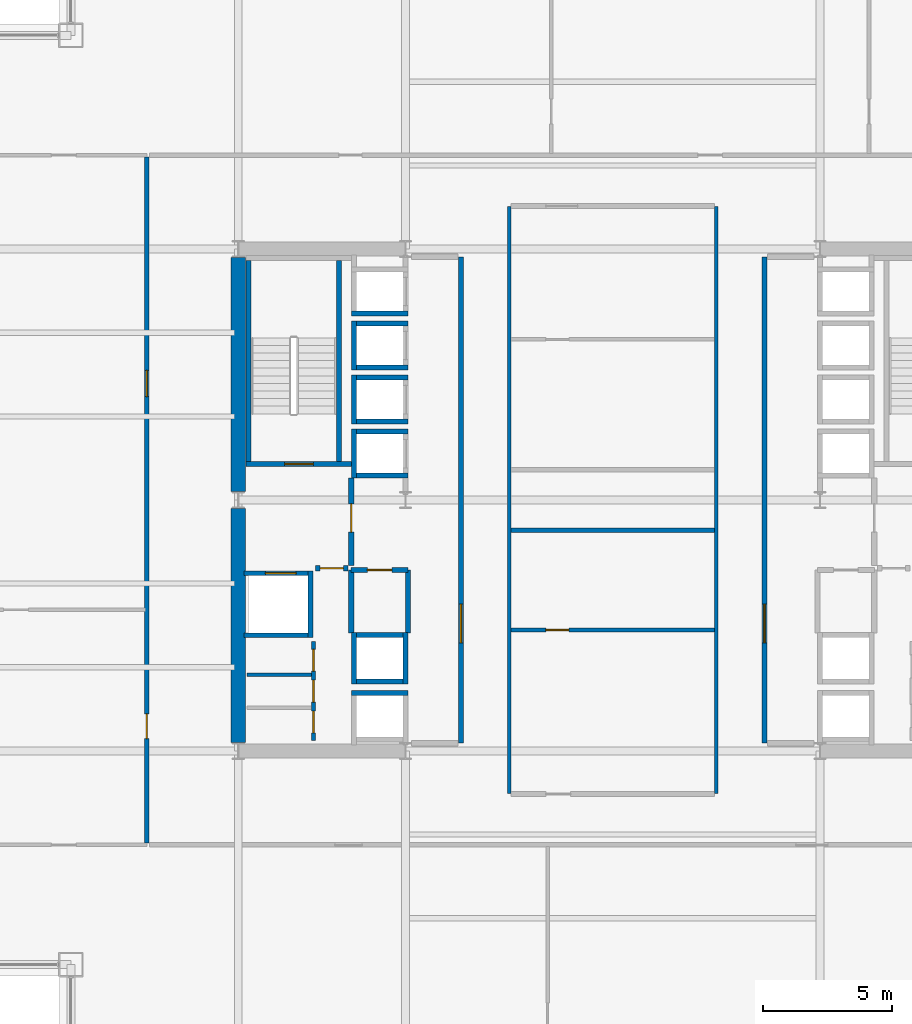
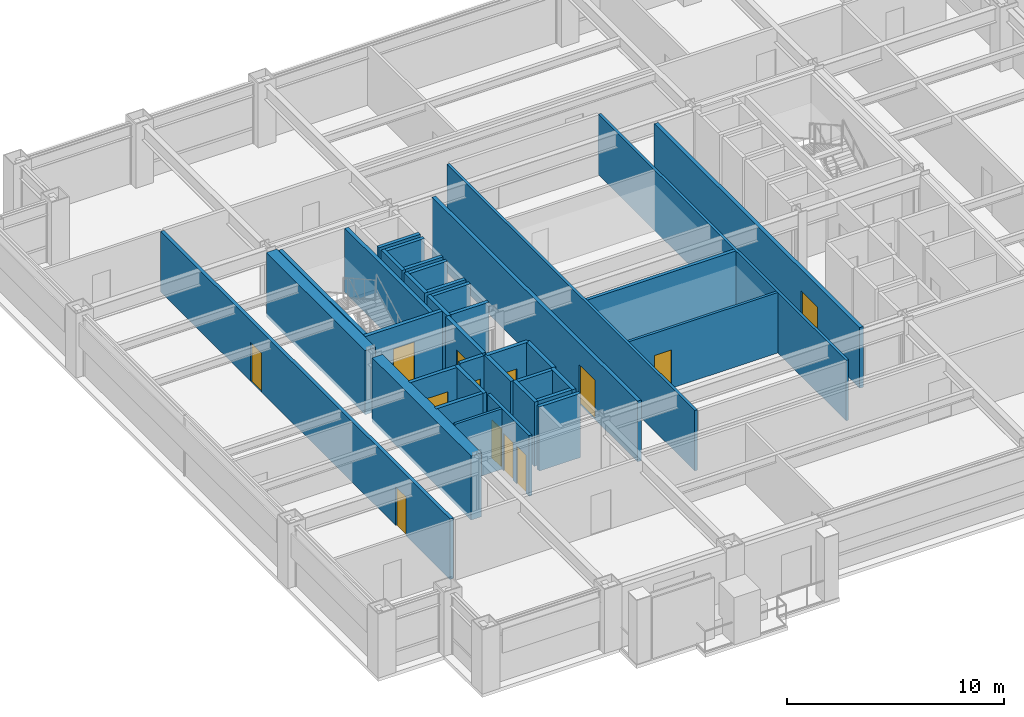
# One storey, part 25 of 31: 37 walls, 13 doors, 13 openings.
"""IFC4 building model written with IfcOpenShell, lengths in metres."""

from ifc_helpers import new_model, si_unit, direction, frame, frame_2d, origin, place, context, subcontext, project, spatial, rectangle, extrude, material, layer, layer_set, type_object, element, fill, save


model = new_model("IFC4")

# Units and contexts
model_context = context("Model", 3, precision=1e-05, world=origin(), true_north=direction((0.0, 1.0)))
body_context = subcontext(model_context, "Body", "Model", "MODEL_VIEW")
ifc_project = project(units=[si_unit("LENGTHUNIT", "METRE"), si_unit("AREAUNIT", "SQUARE_METRE"), si_unit("VOLUMEUNIT", "CUBIC_METRE"), si_unit("PLANEANGLEUNIT", "RADIAN"), si_unit("MASSUNIT", "GRAM", prefix="KILO")], contexts=[model_context])

# Site, building, storey
site_placement = place(None, origin())
site = spatial("IfcSite", under=ifc_project, at=site_placement, CompositionType="ELEMENT")
building_placement = place(site_placement, origin())
building = spatial("IfcBuilding", under=site, at=building_placement, Name="Brelmoor Portico Tower", CompositionType="ELEMENT")
storey_placement = place(building_placement, frame((0.0, 0.0, 42.0)))
storey = spatial("IfcBuildingStorey", under=building, at=storey_placement, Name="L10", CompositionType="ELEMENT", Elevation=42.0)

# Walls
ifc_material_1 = material(Name="Concrete C60", Category="concrete")
ifc_layer_1 = layer(ifc_material_1, 0.550048828125)
ifc_layer_set_1 = layer_set([ifc_layer_1], Name="Concrete C60")
wall_type_1 = type_object("IfcWallType", Name="WL-CORE-550", PredefinedType="SHEAR", material=ifc_layer_set_1)
for number, where, z_axis, x_axis, name in (
    (1, (-14.550048828125, -9.425048828125, -0.199951171875), (0.0, 0.0, 1.0), (0.0, 1.0, 0.0), "L10 WC Outer South Shear Wall"),
    (2, (-14.550048828125, 0.324951171875, -0.199951171875), (0.0, 0.0, 1.0), (0.0, 1.0, 0.0), "L10 WC Outer North Shear Wall"),
):
    element("IfcWall", number, at=place(storey_placement, frame(where, z_axis=z_axis, x_axis=x_axis)), inside=storey, type_object=wall_type_1, Name=name, PredefinedType="SHEAR", context=body_context, shape_type="SweptSolid", body=[
        extrude(rectangle(XDim=9.10009765625, YDim=0.550048828125, at=frame_2d((4.550048828125, 0.0))), origin(), (0.0, 0.0, 1.0), 3.599853515625),
    ])
ifc_material_2 = material(Name="Insulated Stud Suite Partition", Category="gypsum")
ifc_layer_2 = layer(ifc_material_2, 0.139892578125)
ifc_layer_set_2 = layer_set([ifc_layer_2], Name="Insulated Stud Suite Partition")
wall_type_2 = type_object("IfcWallType", Name="WL-PART-140", PredefinedType="PARTITIONING", material=ifc_layer_set_2)
wall_1_placement = place(storey_placement, frame((-11.699951171875, -6.783203125, 0.0), z_axis=(0.0, 0.0, 1.0), x_axis=(-1.0, 0.0, 0.0)))
element("IfcWall", 3, at=wall_1_placement, inside=storey, type_object=wall_type_2, Name="L10 W Core WC Divider 2", PredefinedType="PARTITIONING", context=body_context, shape_type="SweptSolid", body=[
    extrude(rectangle(XDim=2.5, YDim=0.139892578125, at=frame_2d((1.25, 0.0))), origin(), (0.0, 0.0, 1.0), 3.39990234375),
])
for number, where, z_axis, x_axis, name in (
    (4, (-4.02001953125, -11.39990234375, 0.0), (0.0, 0.0, 1.0), (0.0, 1.0, 0.0), "L10 Central Suite West Wall"),
    (5, (4.02001953125, -11.39990234375, 0.0), (0.0, 0.0, 1.0), (0.0, 1.0, 0.0), "L10 Central Suite East Wall"),
):
    element("IfcWall", number, at=place(storey_placement, frame(where, z_axis=z_axis, x_axis=x_axis)), inside=storey, type_object=wall_type_2, Name=name, PredefinedType="PARTITIONING", context=body_context, shape_type="SweptSolid", body=[
        extrude(rectangle(XDim=22.7998046875, YDim=0.139892578125, at=frame_2d((11.39990234375, 0.0))), origin(), (0.0, 0.0, 1.0), 3.39990234375),
    ])

# Wall, opening, door
wall_2_placement = place(storey_placement, frame((-3.949951171875, -5.050048828125, 0.0), z_axis=(0.0, 0.0, 1.0), x_axis=(1.0, 0.0, 0.0)))
wall_2 = element("IfcWall", 6, at=wall_2_placement, inside=storey, type_object=wall_type_2, Name="L10 Central Print Divider", PredefinedType="PARTITIONING", context=body_context, shape_type="SweptSolid", body=[
    extrude(rectangle(XDim=7.89990234375, YDim=0.139892578125, at=frame_2d((3.949951171875, 0.0))), origin(), (0.0, 0.0, 1.0), 3.39990234375),
])
opening_1_placement = place(wall_2_placement, frame((1.35009765625, 0.0, 0.0)))
opening_1 = element("IfcOpeningElement", 7, at=opening_1_placement, cuts=wall_2, Name="Opening D-IN1", PredefinedType="OPENING", context=body_context, shape_type="SweptSolid", body=[
    extrude(rectangle(XDim=0.89990234375, YDim=2.14990234375, at=frame_2d((0.449951171875, 1.074951171875))), frame((0.0, 0.079833984375, 0.0), z_axis=(0.0, -1.0, 0.0), x_axis=(1.0, 0.0, 0.0)), (0.0, 0.0, 1.0), 0.159912109375),
])
ifc_material_3 = material(Name="Lacquered Timber Suite Door", Category="wood")
door_type_1 = type_object("IfcDoorType", Name="DR-INT-900", OperationType="NOTDEFINED", PredefinedType="DOOR", material=ifc_material_3)
door_1_placement = place(opening_1_placement, origin())
door_1 = element("IfcDoor", 8, at=door_1_placement, inside=storey, type_object=door_type_1, Name="D-0437 L10 Central Print Studio Door", OperationType="SINGLE_SWING_LEFT", OverallHeight=2.14990234375, OverallWidth=0.89990234375, PredefinedType="DOOR", context=body_context, shape_type="SweptSolid", body=[
    extrude(rectangle(XDim=0.89990234375, YDim=2.14990234375, at=frame_2d((0.449951171875, 1.074951171875))), frame((0.0, 0.02490234375, 0.0), z_axis=(0.0, -1.0, 0.0), x_axis=(1.0, 0.0, 0.0)), (0.0, 0.0, 1.0), 0.050048828125),
])
fill(opening_1, door_1)

# Wall, openings, doors
ifc_material_4 = material(Name="Twin-Frame Acoustic Partition", Category="gypsum")
ifc_layer_3 = layer(ifc_material_4, 0.159912109375)
ifc_layer_set_3 = layer_set([ifc_layer_3], Name="Twin-Frame Acoustic Partition")
wall_type_3 = type_object("IfcWallType", Name="WL-PART-160", PredefinedType="PARTITIONING", material=ifc_layer_set_3)
wall_3_placement = place(storey_placement, frame((-11.6201171875, -9.35009765625, 0.0), z_axis=(0.0, 0.0, 1.0), x_axis=(0.0, 1.0, 0.0)))
wall_3 = element("IfcWall", 9, at=wall_3_placement, inside=storey, type_object=wall_type_3, Name="L10 W Core Service Front Wall", PredefinedType="PARTITIONING", context=body_context, shape_type="SweptSolid", body=[
    extrude(rectangle(XDim=3.85009765625, YDim=0.159912109375, at=frame_2d((1.925048828125, 0.0))), origin(), (0.0, 0.0, 1.0), 3.39990234375),
])
opening_2_placement = place(wall_3_placement, frame((0.300048828125, 0.0, 0.0)))
opening_2 = element("IfcOpeningElement", 10, at=opening_2_placement, cuts=wall_3, Name="Opening D-WC1", PredefinedType="OPENING", context=body_context, shape_type="SweptSolid", body=[
    extrude(rectangle(XDim=0.85009765625, YDim=2.1201171875, at=frame_2d((0.425048828125, 1.06005859375))), frame((0.0, 0.08984375, 0.0), z_axis=(0.0, -1.0, 0.0), x_axis=(1.0, 0.0, 0.0)), (0.0, 0.0, 1.0), 0.179931640625),
])
opening_3_placement = place(wall_3_placement, frame((1.5, 0.0, 0.0)))
opening_3 = element("IfcOpeningElement", 11, at=opening_3_placement, cuts=wall_3, Name="Opening D-WC1", PredefinedType="OPENING", context=body_context, shape_type="SweptSolid", body=[
    extrude(rectangle(XDim=0.85009765625, YDim=2.1201171875, at=frame_2d((0.425048828125, 1.06005859375))), frame((0.0, 0.08984375, 0.0), z_axis=(0.0, -1.0, 0.0), x_axis=(1.0, 0.0, 0.0)), (0.0, 0.0, 1.0), 0.179931640625),
])
opening_4_placement = place(wall_3_placement, frame((2.699951171875, 0.0, 0.0)))
opening_4 = element("IfcOpeningElement", 12, at=opening_4_placement, cuts=wall_3, Name="Opening D-WC1", PredefinedType="OPENING", context=body_context, shape_type="SweptSolid", body=[
    extrude(rectangle(XDim=0.85009765625, YDim=2.1201171875, at=frame_2d((0.425048828125, 1.06005859375))), frame((0.0, 0.08984375, 0.0), z_axis=(0.0, -1.0, 0.0), x_axis=(1.0, 0.0, 0.0)), (0.0, 0.0, 1.0), 0.179931640625),
])
ifc_material_5 = material(Name="Moisture-Resistant Laminate WC Door", Category="timber")
door_type_2 = type_object("IfcDoorType", Name="DR-WC-850", OperationType="NOTDEFINED", PredefinedType="DOOR", material=ifc_material_5)
door_2_placement = place(opening_2_placement, origin())
door_2 = element("IfcDoor", 13, at=door_2_placement, inside=storey, type_object=door_type_2, Name="D-0442 L10 W Accessible WC Door", OperationType="SINGLE_SWING_RIGHT", OverallHeight=2.1201171875, OverallWidth=0.85009765625, PredefinedType="DOOR", context=body_context, shape_type="SweptSolid", body=[
    extrude(rectangle(XDim=0.85009765625, YDim=2.1201171875, at=frame_2d((0.425048828125, 1.06005859375))), frame((0.0, 0.02490234375, 0.0), z_axis=(0.0, -1.0, 0.0), x_axis=(1.0, 0.0, 0.0)), (0.0, 0.0, 1.0), 0.050048828125),
])
fill(opening_2, door_2)
door_3_placement = place(opening_3_placement, origin())
door_3 = element("IfcDoor", 14, at=door_3_placement, inside=storey, type_object=door_type_2, Name="D-0443 L10 W Staff WC Door", OperationType="SINGLE_SWING_LEFT", OverallHeight=2.1201171875, OverallWidth=0.85009765625, PredefinedType="DOOR", context=body_context, shape_type="SweptSolid", body=[
    extrude(rectangle(XDim=0.85009765625, YDim=2.1201171875, at=frame_2d((0.425048828125, 1.06005859375))), frame((0.0, 0.02490234375, 0.0), z_axis=(0.0, -1.0, 0.0), x_axis=(1.0, 0.0, 0.0)), (0.0, 0.0, 1.0), 0.050048828125),
])
fill(opening_3, door_3)
door_4_placement = place(opening_4_placement, origin())
door_4 = element("IfcDoor", 15, at=door_4_placement, inside=storey, type_object=door_type_2, Name="D-0444 L10 W Cleaner Store Door", OperationType="SINGLE_SWING_RIGHT", OverallHeight=2.1201171875, OverallWidth=0.85009765625, PredefinedType="DOOR", context=body_context, shape_type="SweptSolid", body=[
    extrude(rectangle(XDim=0.85009765625, YDim=2.1201171875, at=frame_2d((0.425048828125, 1.06005859375))), frame((0.0, 0.02490234375, 0.0), z_axis=(0.0, -1.0, 0.0), x_axis=(1.0, 0.0, 0.0)), (0.0, 0.0, 1.0), 0.050048828125),
])
fill(opening_4, door_4)

# Wall
ifc_material_6 = material(Name="Acoustic Corridor Fire Partition", Category="gypsum")
ifc_layer_4 = layer(ifc_material_6, 0.179931640625)
ifc_layer_set_4 = layer_set([ifc_layer_4], Name="Acoustic Corridor Fire Partition")
wall_type_4 = type_object("IfcWallType", Name="WL-PART-180", PredefinedType="PARTITIONING", material=ifc_layer_set_4)
wall_4_placement = place(storey_placement, frame((-3.949951171875, -1.179931640625, 0.0), z_axis=(0.0, 0.0, 1.0), x_axis=(1.0, 0.0, 0.0)))
element("IfcWall", 16, at=wall_4_placement, inside=storey, type_object=wall_type_4, Name="L10 Central Pantry North Wall", PredefinedType="PARTITIONING", context=body_context, shape_type="SweptSolid", body=[
    extrude(rectangle(XDim=7.89990234375, YDim=0.179931640625, at=frame_2d((3.949951171875, 0.0))), origin(), (0.0, 0.0, 1.0), 3.39990234375),
])

# Wall, openings, doors
wall_5_placement = place(storey_placement, frame((-18.10009765625, -13.320068359375, 0.0), z_axis=(0.0, 0.0, 1.0), x_axis=(0.0, 1.0, 0.0)))
wall_5 = element("IfcWall", 17, at=wall_5_placement, inside=storey, type_object=wall_type_4, Name="L10 W Wing Corridor Wall", PredefinedType="PARTITIONING", context=body_context, shape_type="SweptSolid", body=[
    extrude(rectangle(XDim=26.64013671875, YDim=0.179931640625, at=frame_2d((13.320068359375, 0.0))), origin(), (0.0, 0.0, 1.0), 3.39990234375),
])
opening_5_placement = place(wall_5_placement, frame((4.048828125, 0.0, 0.0)))
opening_5 = element("IfcOpeningElement", 18, at=opening_5_placement, cuts=wall_5, Name="Opening D-IN2", PredefinedType="OPENING", context=body_context, shape_type="SweptSolid", body=[
    extrude(rectangle(XDim=0.9599609375, YDim=2.179931640625, at=frame_2d((0.47998046875, 1.08984375))), frame((0.0, 0.099853515625, 0.0), z_axis=(0.0, -1.0, 0.0), x_axis=(1.0, 0.0, 0.0)), (0.0, 0.0, 1.0), 0.199951171875),
])
opening_6_placement = place(wall_5_placement, frame((17.3388671875, 0.0, 0.0)))
opening_6 = element("IfcOpeningElement", 19, at=opening_6_placement, cuts=wall_5, Name="Opening D-OF1", PredefinedType="OPENING", context=body_context, shape_type="SweptSolid", body=[
    extrude(rectangle(XDim=1.02001953125, YDim=2.199951171875, at=frame_2d((0.510009765625, 1.10009765625))), frame((0.0, 0.099853515625, 0.0), z_axis=(0.0, -1.0, 0.0), x_axis=(1.0, 0.0, 0.0)), (0.0, 0.0, 1.0), 0.199951171875),
])
door_type_3 = type_object("IfcDoorType", Name="DR-INT-950", OperationType="NOTDEFINED", PredefinedType="DOOR", material=ifc_material_3)
door_5_placement = place(opening_5_placement, origin())
door_5 = element("IfcDoor", 20, at=door_5_placement, inside=storey, type_object=door_type_3, Name="D-0469 L10 W Quiet Reading Study 1 Door", OperationType="SINGLE_SWING_LEFT", OverallHeight=2.179931640625, OverallWidth=0.9599609375, PredefinedType="DOOR", context=body_context, shape_type="SweptSolid", body=[
    extrude(rectangle(XDim=0.9599609375, YDim=2.179931640625, at=frame_2d((0.47998046875, 1.08984375))), frame((0.0, 0.02490234375, 0.0), z_axis=(0.0, -1.0, 0.0), x_axis=(1.0, 0.0, 0.0)), (0.0, 0.0, 1.0), 0.050048828125),
])
fill(opening_5, door_5)
ifc_material_7 = material(Name="Hardwood Acoustic Veneer Door", Category="wood")
door_type_4 = type_object("IfcDoorType", Name="DR-OFFICE-1000", OperationType="NOTDEFINED", PredefinedType="DOOR", material=ifc_material_7)
door_6_placement = place(opening_6_placement, origin())
door_6 = element("IfcDoor", 21, at=door_6_placement, inside=storey, type_object=door_type_4, Name="D-0470 L10 W Open-Plan Office 2 Door", OperationType="SINGLE_SWING_RIGHT", OverallHeight=2.199951171875, OverallWidth=1.02001953125, PredefinedType="DOOR", context=body_context, shape_type="SweptSolid", body=[
    extrude(rectangle(XDim=1.02001953125, YDim=2.199951171875, at=frame_2d((0.510009765625, 1.10009765625))), frame((0.0, 0.02490234375, 0.0), z_axis=(0.0, -1.0, 0.0), x_axis=(1.0, 0.0, 0.0)), (0.0, 0.0, 1.0), 0.050048828125),
])
fill(opening_6, door_6)

# Wall, opening, door
ifc_material_8 = material(Name="Double-Stud Gypsum Fire Partition", Category="gypsum")
ifc_layer_5 = layer(ifc_material_8, 0.199951171875)
ifc_layer_set_5 = layer_set([ifc_layer_5], Name="Double-Stud Gypsum Fire Partition")
wall_type_5 = type_object("IfcWallType", Name="WL-PART-200", PredefinedType="PARTITIONING", material=ifc_layer_set_5)
wall_6_placement = place(storey_placement, frame((-5.89990234375, -9.449951171875, 0.0), z_axis=(0.0, 0.0, 1.0), x_axis=(0.0, 1.0, 0.0)))
wall_6 = element("IfcWall", 22, at=wall_6_placement, inside=storey, type_object=wall_type_5, Name="L10 W Core Lobby Compartment Wall", PredefinedType="PARTITIONING", context=body_context, shape_type="SweptSolid", body=[
    extrude(rectangle(XDim=18.89990234375, YDim=0.199951171875, at=frame_2d((9.449951171875, 0.0))), origin(), (0.0, 0.0, 1.0), 3.39990234375),
])
opening_7_placement = place(wall_6_placement, frame((3.89990234375, 0.0, 0.0)))
opening_7 = element("IfcOpeningElement", 23, at=opening_7_placement, cuts=wall_6, Name="Opening D-LB1", PredefinedType="OPENING", context=body_context, shape_type="SweptSolid", body=[
    extrude(rectangle(XDim=1.5, YDim=2.199951171875, at=frame_2d((0.75, 1.10009765625))), frame((0.0, 0.10986328125, 0.0), z_axis=(0.0, -1.0, 0.0), x_axis=(1.0, 0.0, 0.0)), (0.0, 0.0, 1.0), 0.219970703125),
])
ifc_material_9 = material(Name="Double-Leaf Glazed Steel Fire Door", Category="steel")
door_type_5 = type_object("IfcDoorType", Name="DR-LOBBY-1500", OperationType="NOTDEFINED", PredefinedType="DOOR", material=ifc_material_9)
door_7_placement = place(opening_7_placement, origin())
door_7 = element("IfcDoor", 24, at=door_7_placement, inside=storey, type_object=door_type_5, Name="D-0450 L10 W Lift Lobby Main Door", OperationType="DOUBLE_DOOR_SINGLE_SWING", OverallHeight=2.199951171875, OverallWidth=1.5, PredefinedType="DOOR", context=body_context, shape_type="SweptSolid", body=[
    extrude(rectangle(XDim=1.5, YDim=2.199951171875, at=frame_2d((0.75, 1.10009765625))), frame((0.0, 0.02490234375, 0.0), z_axis=(0.0, -1.0, 0.0), x_axis=(1.0, 0.0, 0.0)), (0.0, 0.0, 1.0), 0.050048828125),
])
fill(opening_7, door_7)

wall_7_placement = place(storey_placement, frame((-10.159912109375, -2.550048828125, 0.0), z_axis=(0.0, 0.0, 1.0), x_axis=(0.0, 1.0, 0.0)))
wall_7 = element("IfcWall", 25, at=wall_7_placement, inside=storey, type_object=wall_type_5, Name="L10 W Firefighting Lobby Wall", PredefinedType="PARTITIONING", context=body_context, shape_type="SweptSolid", body=[
    extrude(rectangle(XDim=3.400146484375, YDim=0.199951171875, at=frame_2d((1.7001953125, 0.0))), origin(), (0.0, 0.0, 1.0), 3.39990234375),
])
opening_8_placement = place(wall_7_placement, frame((1.300048828125, 0.0, 0.0)))
opening_8 = element("IfcOpeningElement", 26, at=opening_8_placement, cuts=wall_7, Name="Opening D-FR1", PredefinedType="OPENING", context=body_context, shape_type="SweptSolid", body=[
    extrude(rectangle(XDim=1.10009765625, YDim=2.14990234375, at=frame_2d((0.550048828125, 1.074951171875))), frame((0.0, 0.10986328125, 0.0), z_axis=(0.0, -1.0, 0.0), x_axis=(1.0, 0.0, 0.0)), (0.0, 0.0, 1.0), 0.219970703125),
])
ifc_material_10 = material(Name="Painted Galvanised Steel Fire Door", Category="steel")
door_type_6 = type_object("IfcDoorType", Name="DR-FIRE-1100", OperationType="NOTDEFINED", PredefinedType="DOOR", material=ifc_material_10)
door_8_placement = place(opening_8_placement, origin())
door_8 = element("IfcDoor", 27, at=door_8_placement, inside=storey, type_object=door_type_6, Name="D-0448 L10 W Firefighting Lobby Door", OperationType="SINGLE_SWING_LEFT", OverallHeight=2.14990234375, OverallWidth=1.10009765625, PredefinedType="DOOR", context=body_context, shape_type="SweptSolid", body=[
    extrude(rectangle(XDim=1.10009765625, YDim=2.14990234375, at=frame_2d((0.550048828125, 1.074951171875))), frame((0.0, 0.02490234375, 0.0), z_axis=(0.0, -1.0, 0.0), x_axis=(1.0, 0.0, 0.0)), (0.0, 0.0, 1.0), 0.050048828125),
])
fill(opening_8, door_8)

wall_8_placement = place(storey_placement, frame((-10.280029296875, -2.64990234375, 0.0), z_axis=(0.0, 0.0, 1.0), x_axis=(-1.0, 0.0, 0.0)))
wall_8 = element("IfcWall", 28, at=wall_8_placement, inside=storey, type_object=wall_type_5, Name="L10 W Firefighting Lobby South Wall", PredefinedType="PARTITIONING", context=body_context, shape_type="SweptSolid", body=[
    extrude(rectangle(XDim=1.27001953125, YDim=0.199951171875, at=frame_2d((0.635009765625, 0.0))), origin(), (0.0, 0.0, 1.0), 3.39990234375),
])
opening_9_placement = place(wall_8_placement, frame((0.18505859375, 0.0, 0.0)))
opening_9 = element("IfcOpeningElement", 29, at=opening_9_placement, cuts=wall_8, Name="Opening D-IN1", PredefinedType="OPENING", context=body_context, shape_type="SweptSolid", body=[
    extrude(rectangle(XDim=0.89990234375, YDim=2.14990234375, at=frame_2d((0.449951171875, 1.074951171875))), frame((0.0, 0.10986328125, 0.0), z_axis=(0.0, -1.0, 0.0), x_axis=(1.0, 0.0, 0.0)), (0.0, 0.0, 1.0), 0.219970703125),
])
door_9_placement = place(opening_9_placement, origin())
door_9 = element("IfcDoor", 30, at=door_9_placement, inside=storey, type_object=door_type_1, Name="D-0441 L10 W Core Service Vestibule Door", OperationType="SINGLE_SWING_RIGHT", OverallHeight=2.14990234375, OverallWidth=0.89990234375, PredefinedType="DOOR", context=body_context, shape_type="SweptSolid", body=[
    extrude(rectangle(XDim=0.89990234375, YDim=2.14990234375, at=frame_2d((0.449951171875, 1.074951171875))), frame((0.0, 0.02490234375, 0.0), z_axis=(0.0, -1.0, 0.0), x_axis=(1.0, 0.0, 0.0)), (0.0, 0.0, 1.0), 0.050048828125),
])
fill(opening_9, door_9)

wall_9_placement = place(storey_placement, frame((-7.9599609375, -2.719970703125, 0.0), z_axis=(0.0, 0.0, 1.0), x_axis=(-1.0, 0.0, 0.0)))
wall_9 = element("IfcWall", 31, at=wall_9_placement, inside=storey, type_object=wall_type_5, Name="L10 W Electrical Switchgear Closet Wall", PredefinedType="PARTITIONING", context=body_context, shape_type="SweptSolid", body=[
    extrude(rectangle(XDim=2.199951171875, YDim=0.199951171875, at=frame_2d((1.10009765625, 0.0))), origin(), (0.0, 0.0, 1.0), 3.39990234375),
])
opening_10_placement = place(wall_9_placement, frame((0.6201171875, 0.0, 0.0)))
opening_10 = element("IfcOpeningElement", 32, at=opening_10_placement, cuts=wall_9, Name="Opening D-FR4", PredefinedType="OPENING", context=body_context, shape_type="SweptSolid", body=[
    extrude(rectangle(XDim=0.949951171875, YDim=2.10009765625, at=frame_2d((0.47509765625, 1.050048828125))), frame((0.0, 0.10986328125, 0.0), z_axis=(0.0, -1.0, 0.0), x_axis=(1.0, 0.0, 0.0)), (0.0, 0.0, 1.0), 0.219970703125),
])
ifc_material_11 = material(Name="Painted Galvanised Steel Riser Door", Category="steel")
door_type_7 = type_object("IfcDoorType", Name="DR-FIRE-950", OperationType="NOTDEFINED", PredefinedType="DOOR", material=ifc_material_11)
door_10_placement = place(opening_10_placement, origin())
door_10 = element("IfcDoor", 33, at=door_10_placement, inside=storey, type_object=door_type_7, Name="D-0446 L10 W Electrical Switchgear Closet Door", OperationType="SINGLE_SWING_LEFT", OverallHeight=2.10009765625, OverallWidth=0.949951171875, PredefinedType="DOOR", context=body_context, shape_type="SweptSolid", body=[
    extrude(rectangle(XDim=0.949951171875, YDim=2.10009765625, at=frame_2d((0.47509765625, 1.050048828125))), frame((0.0, 0.02490234375, 0.0), z_axis=(0.0, -1.0, 0.0), x_axis=(1.0, 0.0, 0.0)), (0.0, 0.0, 1.0), 0.050048828125),
])
fill(opening_10, door_10)

# Walls
for number, where, z_axis, x_axis, name in (
    (34, (-7.9599609375, -5.159912109375, 0.0), (0.0, 0.0, 1.0), (0.0, 1.0, 0.0), "L10 W Electrical Switchgear Closet Inner Wall"),
    (35, (-10.159912109375, -5.159912109375, 0.0), (0.0, 0.0, 1.0), (0.0, 1.0, 0.0), "L10 W Electrical Switchgear Closet Outer Wall"),
):
    element("IfcWall", number, at=place(storey_placement, frame(where, z_axis=z_axis, x_axis=x_axis)), inside=storey, type_object=wall_type_5, Name=name, PredefinedType="PARTITIONING", context=body_context, shape_type="SweptSolid", body=[
        extrude(rectangle(XDim=2.43994140625, YDim=0.199951171875, at=frame_2d((1.219970703125, 0.0))), origin(), (0.0, 0.0, 1.0), 3.39990234375),
    ])

# Wall, opening, door
wall_10_placement = place(storey_placement, frame((5.89990234375, -9.449951171875, 0.0), z_axis=(0.0, 0.0, 1.0), x_axis=(0.0, 1.0, 0.0)))
wall_10 = element("IfcWall", 36, at=wall_10_placement, inside=storey, type_object=wall_type_5, Name="L10 E Core Lobby Compartment Wall", PredefinedType="PARTITIONING", context=body_context, shape_type="SweptSolid", body=[
    extrude(rectangle(XDim=18.89990234375, YDim=0.199951171875, at=frame_2d((9.449951171875, 0.0))), origin(), (0.0, 0.0, 1.0), 3.39990234375),
])
opening_11_placement = place(wall_10_placement, frame((3.89990234375, 0.0, 0.0)))
opening_11 = element("IfcOpeningElement", 37, at=opening_11_placement, cuts=wall_10, Name="Opening D-LB1", PredefinedType="OPENING", context=body_context, shape_type="SweptSolid", body=[
    extrude(rectangle(XDim=1.5, YDim=2.199951171875, at=frame_2d((0.75, 1.10009765625))), frame((0.0, 0.10986328125, 0.0), z_axis=(0.0, -1.0, 0.0), x_axis=(1.0, 0.0, 0.0)), (0.0, 0.0, 1.0), 0.219970703125),
])
door_11_placement = place(opening_11_placement, origin())
door_11 = element("IfcDoor", 38, at=door_11_placement, inside=storey, type_object=door_type_5, Name="D-0449 L10 E Lift Lobby Main Door", OperationType="DOUBLE_DOOR_SINGLE_SWING", OverallHeight=2.199951171875, OverallWidth=1.5, PredefinedType="DOOR", context=body_context, shape_type="SweptSolid", body=[
    extrude(rectangle(XDim=1.5, YDim=2.199951171875, at=frame_2d((0.75, 1.10009765625))), frame((0.0, 0.02490234375, 0.0), z_axis=(0.0, -1.0, 0.0), x_axis=(1.0, 0.0, 0.0)), (0.0, 0.0, 1.0), 0.050048828125),
])
fill(opening_11, door_11)

# Walls
ifc_material_12 = material(Name="Precast Concrete C40", Category="concrete")
ifc_layer_6 = layer(ifc_material_12, 0.18994140625)
ifc_layer_set_6 = layer_set([ifc_layer_6], Name="Precast Concrete C40")
wall_type_6 = type_object("IfcWallType", Name="WL-SHAFT-180", PredefinedType="SOLIDWALL", material=ifc_layer_set_6)
wall_11_placement = place(storey_placement, frame((-10.054931640625, 0.85009765625, -0.199951171875), z_axis=(0.0, 0.0, 1.0), x_axis=(0.0, 1.0, 0.0)))
element("IfcWall", 39, at=wall_11_placement, inside=storey, type_object=wall_type_6, Name="L10 Lift PL1 Hoistway Back Wall", PredefinedType="SOLIDWALL", context=body_context, shape_type="SweptSolid", body=[
    extrude(rectangle(XDim=1.89990234375, YDim=0.18994140625, at=frame_2d((0.949951171875, 0.0))), origin(), (0.0, 0.0, 1.0), 3.599853515625),
])
for number, where, z_axis, x_axis, name in (
    (40, (-10.14990234375, 2.655029296875, -0.199951171875), (0.0, 0.0, 1.0), (1.0, 0.0, 0.0), "L10 Lift PL1 Hoistway North Wall"),
    (41, (-10.14990234375, 0.945068359375, -0.199951171875), (0.0, 0.0, 1.0), (1.0, 0.0, 0.0), "L10 Lift PL1 Hoistway South Wall"),
):
    element("IfcWall", number, at=place(storey_placement, frame(where, z_axis=z_axis, x_axis=x_axis)), inside=storey, type_object=wall_type_6, Name=name, PredefinedType="SOLIDWALL", context=body_context, shape_type="SweptSolid", body=[
        extrude(rectangle(XDim=2.199951171875, YDim=0.18994140625, at=frame_2d((1.10009765625, 0.0))), origin(), (0.0, 0.0, 1.0), 3.599853515625),
    ])
wall_12_placement = place(storey_placement, frame((-10.054931640625, 2.949951171875, -0.199951171875), z_axis=(0.0, 0.0, 1.0), x_axis=(0.0, 1.0, 0.0)))
element("IfcWall", 42, at=wall_12_placement, inside=storey, type_object=wall_type_6, Name="L10 Lift PL2 Hoistway Back Wall", PredefinedType="SOLIDWALL", context=body_context, shape_type="SweptSolid", body=[
    extrude(rectangle(XDim=1.900146484375, YDim=0.18994140625, at=frame_2d((0.9501953125, 0.0))), origin(), (0.0, 0.0, 1.0), 3.599853515625),
])
for number, where, z_axis, x_axis, name in (
    (43, (-10.14990234375, 4.7548828125, -0.199951171875), (0.0, 0.0, 1.0), (1.0, 0.0, 0.0), "L10 Lift PL2 Hoistway North Wall"),
    (44, (-10.14990234375, 3.044921875, -0.199951171875), (0.0, 0.0, 1.0), (1.0, 0.0, 0.0), "L10 Lift PL2 Hoistway South Wall"),
):
    element("IfcWall", number, at=place(storey_placement, frame(where, z_axis=z_axis, x_axis=x_axis)), inside=storey, type_object=wall_type_6, Name=name, PredefinedType="SOLIDWALL", context=body_context, shape_type="SweptSolid", body=[
        extrude(rectangle(XDim=2.199951171875, YDim=0.18994140625, at=frame_2d((1.10009765625, 0.0))), origin(), (0.0, 0.0, 1.0), 3.599853515625),
    ])
wall_13_placement = place(storey_placement, frame((-10.054931640625, 5.050048828125, -0.199951171875), z_axis=(0.0, 0.0, 1.0), x_axis=(0.0, 1.0, 0.0)))
element("IfcWall", 45, at=wall_13_placement, inside=storey, type_object=wall_type_6, Name="L10 Lift PL3 Hoistway Back Wall", PredefinedType="SOLIDWALL", context=body_context, shape_type="SweptSolid", body=[
    extrude(rectangle(XDim=1.89990234375, YDim=0.18994140625, at=frame_2d((0.949951171875, 0.0))), origin(), (0.0, 0.0, 1.0), 3.599853515625),
])
for number, where, z_axis, x_axis, name in (
    (46, (-10.14990234375, 6.85498046875, -0.199951171875), (0.0, 0.0, 1.0), (1.0, 0.0, 0.0), "L10 Lift PL3 Hoistway North Wall"),
    (47, (-10.14990234375, 5.14501953125, -0.199951171875), (0.0, 0.0, 1.0), (1.0, 0.0, 0.0), "L10 Lift PL3 Hoistway South Wall"),
    (48, (-10.14990234375, 7.2451171875, -0.199951171875), (0.0, 0.0, 1.0), (1.0, 0.0, 0.0), "L10 Lift PL4 Hoistway South Wall"),
    (49, (-10.14990234375, -7.4951171875, -0.199951171875), (0.0, 0.0, 1.0), (1.0, 0.0, 0.0), "L10 Lift PH1 Hoistway North Wall"),
):
    element("IfcWall", number, at=place(storey_placement, frame(where, z_axis=z_axis, x_axis=x_axis)), inside=storey, type_object=wall_type_6, Name=name, PredefinedType="SOLIDWALL", context=body_context, shape_type="SweptSolid", body=[
        extrude(rectangle(XDim=2.199951171875, YDim=0.18994140625, at=frame_2d((1.10009765625, 0.0))), origin(), (0.0, 0.0, 1.0), 3.599853515625),
    ])
for number, where, z_axis, x_axis, name in (
    (50, (-8.044921875, -7.14990234375, -0.199951171875), (0.0, 0.0, 1.0), (0.0, 1.0, 0.0), "L10 Lift PH2 Hoistway Front Wall"),
    (51, (-10.054931640625, -7.14990234375, -0.199951171875), (0.0, 0.0, 1.0), (0.0, 1.0, 0.0), "L10 Lift PH2 Hoistway Back Wall"),
):
    element("IfcWall", number, at=place(storey_placement, frame(where, z_axis=z_axis, x_axis=x_axis)), inside=storey, type_object=wall_type_6, Name=name, PredefinedType="SOLIDWALL", context=body_context, shape_type="SweptSolid", body=[
        extrude(rectangle(XDim=2.0, YDim=0.18994140625, at=frame_2d((1.0, 0.0))), origin(), (0.0, 0.0, 1.0), 3.599853515625),
    ])
for number, where, z_axis, x_axis, name in (
    (52, (-10.14990234375, -5.2451171875, -0.199951171875), (0.0, 0.0, 1.0), (1.0, 0.0, 0.0), "L10 Lift PH2 Hoistway North Wall"),
    (53, (-10.14990234375, -7.054931640625, -0.199951171875), (0.0, 0.0, 1.0), (1.0, 0.0, 0.0), "L10 Lift PH2 Hoistway South Wall"),
):
    element("IfcWall", number, at=place(storey_placement, frame(where, z_axis=z_axis, x_axis=x_axis)), inside=storey, type_object=wall_type_6, Name=name, PredefinedType="SOLIDWALL", context=body_context, shape_type="SweptSolid", body=[
        extrude(rectangle(XDim=2.199951171875, YDim=0.18994140625, at=frame_2d((1.10009765625, 0.0))), origin(), (0.0, 0.0, 1.0), 3.599853515625),
    ])

# Wall, opening, door
wall_14_placement = place(storey_placement, frame((-14.330078125, -2.844970703125, -0.199951171875), z_axis=(0.0, 0.0, 1.0), x_axis=(1.0, 0.0, 0.0)))
wall_14 = element("IfcWall", 54, at=wall_14_placement, inside=storey, type_object=wall_type_6, Name="L10 Lift FF1 Hoistway Front Wall", PredefinedType="SOLIDWALL", context=body_context, shape_type="SweptSolid", body=[
    extrude(rectangle(XDim=2.68017578125, YDim=0.18994140625, at=frame_2d((1.340087890625, 0.0))), origin(), (0.0, 0.0, 1.0), 3.599853515625),
])
opening_12_placement = place(wall_14_placement, frame((0.830078125, 0.0, 0.199951171875)))
opening_12 = element("IfcOpeningElement", 55, at=opening_12_placement, cuts=wall_14, Name="Opening LD-02", PredefinedType="OPENING", context=body_context, shape_type="SweptSolid", body=[
    extrude(rectangle(XDim=1.199951171875, YDim=2.199951171875, at=frame_2d((0.60009765625, 1.10009765625))), frame((0.0, 0.10498046875, 0.0), z_axis=(0.0, -1.0, 0.0), x_axis=(1.0, 0.0, 0.0)), (0.0, 0.0, 1.0), 0.2099609375),
])
ifc_material_13 = material(Name="Brushed Stainless Steel Firefighting Lift Door", Category="steel")
door_type_8 = type_object("IfcDoorType", Name="DR-LIFT-1200", OperationType="NOTDEFINED", PredefinedType="DOOR", material=ifc_material_13)
door_12_placement = place(opening_12_placement, origin())
door_12 = element("IfcDoor", 56, at=door_12_placement, inside=storey, type_object=door_type_8, Name="D-0472 L10 Lift FF1 Sliding Landing Door", OperationType="SLIDING_TO_LEFT", OverallHeight=2.199951171875, OverallWidth=1.199951171875, PredefinedType="DOOR", context=body_context, shape_type="SweptSolid", body=[
    extrude(rectangle(XDim=1.199951171875, YDim=2.199951171875, at=frame_2d((0.60009765625, 1.10009765625))), frame((0.0, 0.02490234375, 0.0), z_axis=(0.0, -1.0, 0.0), x_axis=(1.0, 0.0, 0.0)), (0.0, 0.0, 1.0), 0.050048828125),
])
fill(opening_12, door_12)

# Walls
wall_15_placement = place(storey_placement, frame((-14.330078125, -5.2548828125, -0.199951171875), z_axis=(0.0, 0.0, 1.0), x_axis=(1.0, 0.0, 0.0)))
element("IfcWall", 57, at=wall_15_placement, inside=storey, type_object=wall_type_6, Name="L10 Firefighting Lift FF1 South Wall", PredefinedType="SOLIDWALL", context=body_context, shape_type="SweptSolid", body=[
    extrude(rectangle(XDim=2.68017578125, YDim=0.18994140625, at=frame_2d((1.340087890625, 0.0))), origin(), (0.0, 0.0, 1.0), 3.599853515625),
])
wall_16_placement = place(storey_placement, frame((-11.7451171875, -5.35009765625, -0.199951171875), z_axis=(0.0, 0.0, 1.0), x_axis=(0.0, 1.0, 0.0)))
element("IfcWall", 58, at=wall_16_placement, inside=storey, type_object=wall_type_6, Name="L10 Firefighting Lift FF1 Inner Wall", PredefinedType="SOLIDWALL", context=body_context, shape_type="SweptSolid", body=[
    extrude(rectangle(XDim=2.60009765625, YDim=0.18994140625, at=frame_2d((1.300048828125, 0.0))), origin(), (0.0, 0.0, 1.0), 3.599853515625),
])
ifc_material_14 = material(Name="Concrete C40", Category="concrete")
ifc_layer_7 = layer(ifc_material_14, 0.199951171875)
ifc_layer_set_7 = layer_set([ifc_layer_7], Name="Concrete C40")
wall_type_7 = type_object("IfcWallType", Name="WL-SHAFT-RC200", PredefinedType="SOLIDWALL", material=ifc_layer_set_7)
wall_17_placement = place(storey_placement, frame((-14.14990234375, 1.5, -0.199951171875), z_axis=(0.0, 0.0, 1.0), x_axis=(0.0, 1.0, 0.0)))
element("IfcWall", 59, at=wall_17_placement, inside=storey, type_object=wall_type_7, Name="L10 ST-W Structural Stair Wall Outer", PredefinedType="SOLIDWALL", context=body_context, shape_type="SweptSolid", body=[
    extrude(rectangle(XDim=7.800048828125, YDim=0.199951171875, at=frame_2d((3.89990234375, 0.0))), origin(), (0.0, 0.0, 1.0), 3.599853515625),
])

# Wall, opening, door
wall_18_placement = place(storey_placement, frame((-14.25, 1.39990234375, -0.199951171875), z_axis=(0.0, 0.0, 1.0), x_axis=(1.0, 0.0, 0.0)))
wall_18 = element("IfcWall", 60, at=wall_18_placement, inside=storey, type_object=wall_type_7, Name="L10 ST-W Structural Stair Wall S", PredefinedType="SOLIDWALL", context=body_context, shape_type="SweptSolid", body=[
    extrude(rectangle(XDim=4.10009765625, YDim=0.199951171875, at=frame_2d((2.050048828125, 0.0))), origin(), (0.0, 0.0, 1.0), 3.599853515625),
])
opening_13_placement = place(wall_18_placement, frame((1.5, 0.0, 0.199951171875)))
opening_13 = element("IfcOpeningElement", 61, at=opening_13_placement, cuts=wall_18, Name="Opening D-ST1", PredefinedType="OPENING", context=body_context, shape_type="SweptSolid", body=[
    extrude(rectangle(XDim=1.1201171875, YDim=2.179931640625, at=frame_2d((0.56005859375, 1.08984375))), frame((0.0, 0.10986328125, 0.0), z_axis=(0.0, -1.0, 0.0), x_axis=(1.0, 0.0, 0.0)), (0.0, 0.0, 1.0), 0.219970703125),
])
door_type_9 = type_object("IfcDoorType", Name="DR-STAIR-1100", OperationType="NOTDEFINED", PredefinedType="DOOR", material=ifc_material_10)
door_13_placement = place(opening_13_placement, origin())
door_13 = element("IfcDoor", 62, at=door_13_placement, inside=storey, type_object=door_type_9, Name="D-0462 L10 ST-W Protected Exit Stair Door", OperationType="SINGLE_SWING_LEFT", OverallHeight=2.179931640625, OverallWidth=1.1201171875, PredefinedType="DOOR", context=body_context, shape_type="SweptSolid", body=[
    extrude(rectangle(XDim=1.1201171875, YDim=2.179931640625, at=frame_2d((0.56005859375, 1.08984375))), frame((0.0, 0.02490234375, 0.0), z_axis=(0.0, -1.0, 0.0), x_axis=(1.0, 0.0, 0.0)), (0.0, 0.0, 1.0), 0.050048828125),
])
fill(opening_13, door_13)

# Wall
wall_19_placement = place(storey_placement, frame((-10.6298828125, 1.5, -0.199951171875), z_axis=(0.0, 0.0, 1.0), x_axis=(0.0, 1.0, 0.0)))
element("IfcWall", 63, at=wall_19_placement, inside=storey, type_object=wall_type_7, Name="L10 ST-W Structural Stair Wall Inner", PredefinedType="SOLIDWALL", context=body_context, shape_type="SweptSolid", body=[
    extrude(rectangle(XDim=7.800048828125, YDim=0.199951171875, at=frame_2d((3.89990234375, 0.0))), origin(), (0.0, 0.0, 1.0), 3.599853515625),
])

save(model, "model.ifc")
